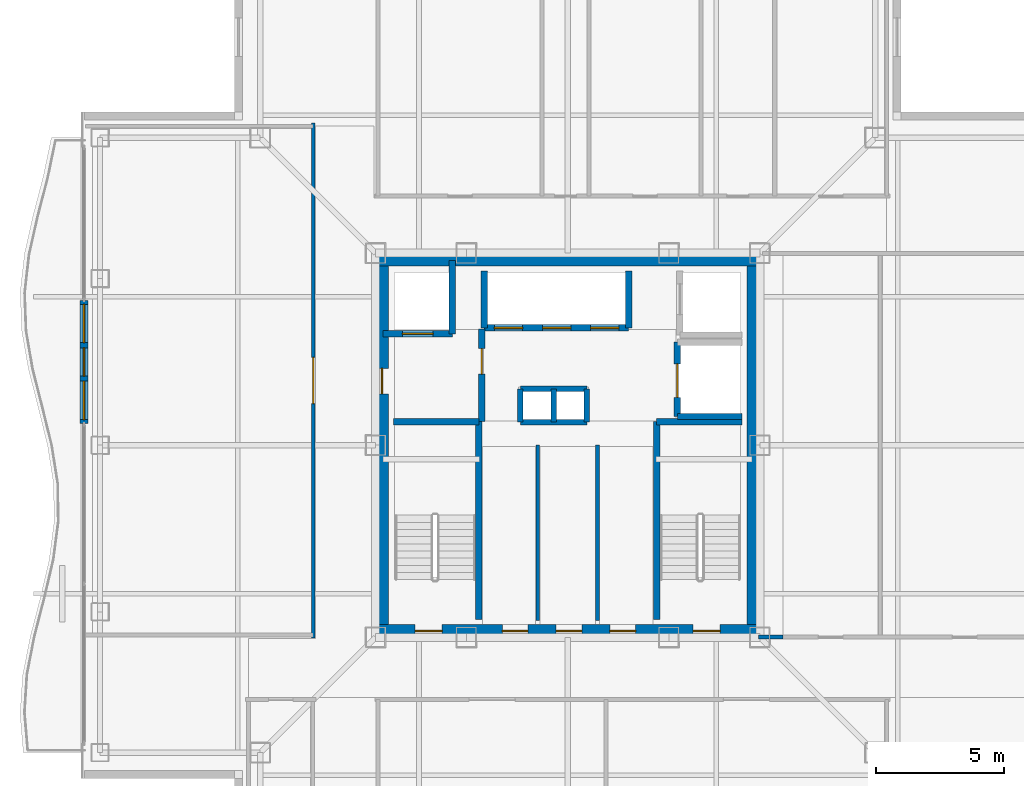
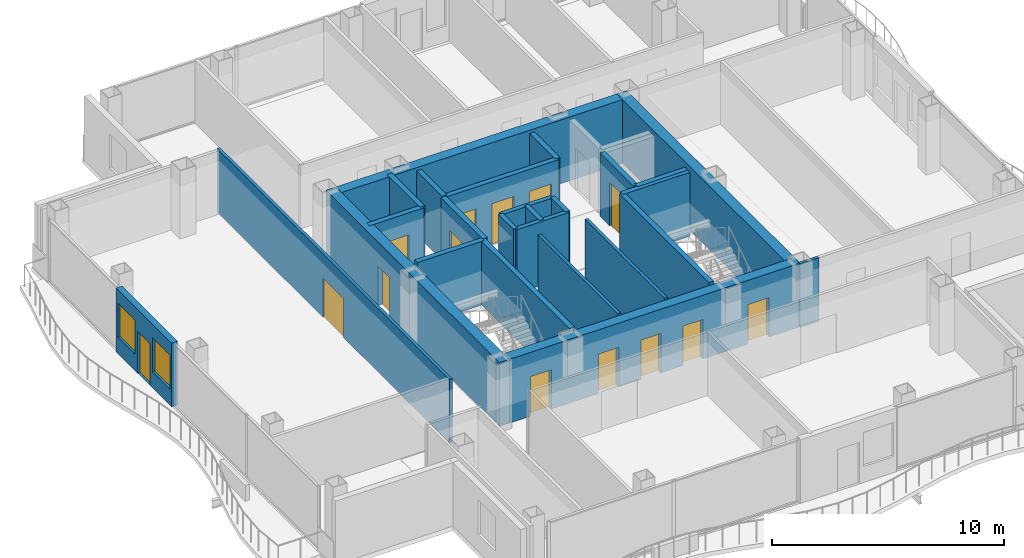
# One storey, part 10 of 17: 26 walls, 14 doors, 2 windows, 16 openings.
"""IFC4 building model written with IfcOpenShell, lengths in metres."""

from ifc_helpers import new_model, si_unit, direction, frame, frame_2d, origin, place, context, subcontext, project, spatial, rectangle, extrude, material, layer, layer_set, type_object, element, fill, save


model = new_model("IFC4")

# Units and contexts
model_context = context("Model", 3, precision=1e-05, world=origin(), true_north=direction((0.0, 1.0)))
body_context = subcontext(model_context, "Body", "Model", "MODEL_VIEW")
ifc_project = project(units=[si_unit("LENGTHUNIT", "METRE"), si_unit("AREAUNIT", "SQUARE_METRE"), si_unit("VOLUMEUNIT", "CUBIC_METRE"), si_unit("PLANEANGLEUNIT", "RADIAN"), si_unit("MASSUNIT", "GRAM", prefix="KILO")], contexts=[model_context])

# Site, building, storey
site_placement = place(None, origin())
site = spatial("IfcSite", under=ifc_project, at=site_placement, CompositionType="ELEMENT")
building_placement = place(site_placement, origin())
building = spatial("IfcBuilding", under=site, at=building_placement, Name="Trevonay Congress Spire", CompositionType="ELEMENT")
storey_placement = place(building_placement, frame((0.0, 0.0, 264.800048828125)))
storey = spatial("IfcBuildingStorey", under=building, at=storey_placement, Name="L69", CompositionType="ELEMENT", Elevation=264.800048828125)

# Wall, openings, doors
ifc_material_1 = material(Name="Concrete C50/60", Category="concrete")
ifc_layer_1 = layer(ifc_material_1, 0.5, Name="Concrete C50/60")
ifc_layer_set_1 = layer_set([ifc_layer_1], Name="Concrete C50/60")
wall_type_1 = type_object("IfcWallType", Name="WAL-CORE-500", PredefinedType="SHEAR", material=ifc_layer_set_1)
wall_1_placement = place(storey_placement, frame((-7.5, -7.25, 0.0), z_axis=(0.0, 0.0, 1.0), x_axis=(1.0, 0.0, 0.0)))
wall_1 = element("IfcWall", 1, at=wall_1_placement, inside=storey, type_object=wall_type_1, Name="L69 South structural core shear wall", PredefinedType="SHEAR", context=body_context, shape_type="SweptSolid", body=[
    extrude(rectangle(XDim=15.0, YDim=0.5, at=frame_2d((7.5, 0.0))), origin(), (0.0, 0.0, 1.0), 3.35986328125),
])
opening_1_placement = place(wall_1_placement, frame((1.550048828125, 0.0, 0.0)))
opening_1 = element("IfcOpeningElement", 2, at=opening_1_placement, cuts=wall_1, Name="Opening D05", PredefinedType="OPENING", context=body_context, shape_type="SweptSolid", body=[
    extrude(rectangle(XDim=1.050048828125, YDim=2.080078125, at=frame_2d((0.52490234375, 1.0400390625))), frame((0.0, 0.260009765625, 0.0), z_axis=(0.0, -1.0, 0.0), x_axis=(1.0, 0.0, 0.0)), (0.0, 0.0, 1.0), 0.52001953125),
])
opening_2_placement = place(wall_1_placement, frame((12.39990234375, 0.0, 0.0)))
opening_2 = element("IfcOpeningElement", 3, at=opening_2_placement, cuts=wall_1, Name="Opening D05", PredefinedType="OPENING", context=body_context, shape_type="SweptSolid", body=[
    extrude(rectangle(XDim=1.050048828125, YDim=2.080078125, at=frame_2d((0.52490234375, 1.0400390625))), frame((0.0, 0.260009765625, 0.0), z_axis=(0.0, -1.0, 0.0), x_axis=(1.0, 0.0, 0.0)), (0.0, 0.0, 1.0), 0.52001953125),
])
opening_3_placement = place(wall_1_placement, frame((4.949951171875, 0.0, 0.0)))
opening_3 = element("IfcOpeningElement", 4, at=opening_3_placement, cuts=wall_1, Name="Opening D06", PredefinedType="OPENING", context=body_context, shape_type="SweptSolid", body=[
    extrude(rectangle(XDim=1.0, YDim=2.080078125, at=frame_2d((0.5, 1.0400390625))), frame((0.0, 0.260009765625, 0.0), z_axis=(0.0, -1.0, 0.0), x_axis=(1.0, 0.0, 0.0)), (0.0, 0.0, 1.0), 0.52001953125),
])
opening_4_placement = place(wall_1_placement, frame((7.050048828125, 0.0, 0.0)))
opening_4 = element("IfcOpeningElement", 5, at=opening_4_placement, cuts=wall_1, Name="Opening D06", PredefinedType="OPENING", context=body_context, shape_type="SweptSolid", body=[
    extrude(rectangle(XDim=1.0, YDim=2.080078125, at=frame_2d((0.5, 1.0400390625))), frame((0.0, 0.260009765625, 0.0), z_axis=(0.0, -1.0, 0.0), x_axis=(1.0, 0.0, 0.0)), (0.0, 0.0, 1.0), 0.52001953125),
])
opening_5_placement = place(wall_1_placement, frame((9.14990234375, 0.0, 0.0)))
opening_5 = element("IfcOpeningElement", 6, at=opening_5_placement, cuts=wall_1, Name="Opening D06", PredefinedType="OPENING", context=body_context, shape_type="SweptSolid", body=[
    extrude(rectangle(XDim=1.0, YDim=2.080078125, at=frame_2d((0.5, 1.0400390625))), frame((0.0, 0.260009765625, 0.0), z_axis=(0.0, -1.0, 0.0), x_axis=(1.0, 0.0, 0.0)), (0.0, 0.0, 1.0), 0.52001953125),
])
ifc_material_2 = material(Name="Steel ASTM A572 Grade 50", Category="steel")
door_type_1 = type_object("IfcDoorType", Name="DOR-FIRE-100", OperationType="NOTDEFINED", PredefinedType="DOOR", material=ifc_material_2)
door_1_placement = place(opening_3_placement, origin())
door_1 = element("IfcDoor", 7, at=door_1_placement, inside=storey, type_object=door_type_1, Name="L69 South Core Room 1 Door", OperationType="SINGLE_SWING_LEFT", OverallHeight=2.080078125, OverallWidth=1.0, PredefinedType="DOOR", context=body_context, shape_type="SweptSolid", body=[
    extrude(rectangle(XDim=1.0, YDim=2.080078125, at=frame_2d((0.5, 1.0400390625))), frame((0.0, 0.02490234375, 0.0), z_axis=(0.0, -1.0, 0.0), x_axis=(1.0, 0.0, 0.0)), (0.0, 0.0, 1.0), 0.050048828125),
])
fill(opening_3, door_1)
door_2_placement = place(opening_4_placement, origin())
door_2 = element("IfcDoor", 8, at=door_2_placement, inside=storey, type_object=door_type_1, Name="L69 South Core Room 2 Door", OperationType="SINGLE_SWING_RIGHT", OverallHeight=2.080078125, OverallWidth=1.0, PredefinedType="DOOR", context=body_context, shape_type="SweptSolid", body=[
    extrude(rectangle(XDim=1.0, YDim=2.080078125, at=frame_2d((0.5, 1.0400390625))), frame((0.0, 0.02490234375, 0.0), z_axis=(0.0, -1.0, 0.0), x_axis=(1.0, 0.0, 0.0)), (0.0, 0.0, 1.0), 0.050048828125),
])
fill(opening_4, door_2)
door_3_placement = place(opening_5_placement, origin())
door_3 = element("IfcDoor", 9, at=door_3_placement, inside=storey, type_object=door_type_1, Name="L69 South Core Room 3 Door", OperationType="SINGLE_SWING_LEFT", OverallHeight=2.080078125, OverallWidth=1.0, PredefinedType="DOOR", context=body_context, shape_type="SweptSolid", body=[
    extrude(rectangle(XDim=1.0, YDim=2.080078125, at=frame_2d((0.5, 1.0400390625))), frame((0.0, 0.02490234375, 0.0), z_axis=(0.0, -1.0, 0.0), x_axis=(1.0, 0.0, 0.0)), (0.0, 0.0, 1.0), 0.050048828125),
])
fill(opening_5, door_3)
door_type_2 = type_object("IfcDoorType", Name="DOR-STAIR-110", OperationType="NOTDEFINED", PredefinedType="DOOR", material=ifc_material_2)
door_4_placement = place(opening_1_placement, origin())
door_4 = element("IfcDoor", 10, at=door_4_placement, inside=storey, type_object=door_type_2, Name="L69 Protected Stair ST-1 Door", OperationType="SINGLE_SWING_RIGHT", OverallHeight=2.080078125, OverallWidth=1.050048828125, PredefinedType="DOOR", context=body_context, shape_type="SweptSolid", body=[
    extrude(rectangle(XDim=1.050048828125, YDim=2.080078125, at=frame_2d((0.52490234375, 1.0400390625))), frame((0.0, 0.02490234375, 0.0), z_axis=(0.0, -1.0, 0.0), x_axis=(1.0, 0.0, 0.0)), (0.0, 0.0, 1.0), 0.050048828125),
])
fill(opening_1, door_4)
door_5_placement = place(opening_2_placement, origin())
door_5 = element("IfcDoor", 11, at=door_5_placement, inside=storey, type_object=door_type_2, Name="L69 Protected Stair ST-2 Door", OperationType="SINGLE_SWING_LEFT", OverallHeight=2.080078125, OverallWidth=1.050048828125, PredefinedType="DOOR", context=body_context, shape_type="SweptSolid", body=[
    extrude(rectangle(XDim=1.050048828125, YDim=2.080078125, at=frame_2d((0.52490234375, 1.0400390625))), frame((0.0, 0.02490234375, 0.0), z_axis=(0.0, -1.0, 0.0), x_axis=(1.0, 0.0, 0.0)), (0.0, 0.0, 1.0), 0.050048828125),
])
fill(opening_2, door_5)

# Wall
wall_2_placement = place(storey_placement, frame((-7.5, 7.25, 0.0), z_axis=(0.0, 0.0, 1.0), x_axis=(1.0, 0.0, 0.0)))
element("IfcWall", 12, at=wall_2_placement, inside=storey, type_object=wall_type_1, Name="L69 North structural core shear wall", PredefinedType="SHEAR", context=body_context, shape_type="SweptSolid", body=[
    extrude(rectangle(XDim=15.0, YDim=0.5, at=frame_2d((7.5, 0.0))), origin(), (0.0, 0.0, 1.0), 3.35986328125),
])

# Wall, opening, door
wall_3_placement = place(storey_placement, frame((-7.25, -7.5, 0.0), z_axis=(0.0, 0.0, 1.0), x_axis=(0.0, 1.0, 0.0)))
wall_3 = element("IfcWall", 13, at=wall_3_placement, inside=storey, type_object=wall_type_1, Name="L69 West structural core shear wall", PredefinedType="SHEAR", context=body_context, shape_type="SweptSolid", body=[
    extrude(rectangle(XDim=15.0, YDim=0.5, at=frame_2d((7.5, 0.0))), origin(), (0.0, 0.0, 1.0), 3.35986328125),
])
opening_6_placement = place(wall_3_placement, frame((9.5, 0.0, 0.0)))
opening_6 = element("IfcOpeningElement", 14, at=opening_6_placement, cuts=wall_3, Name="Opening D06", PredefinedType="OPENING", context=body_context, shape_type="SweptSolid", body=[
    extrude(rectangle(XDim=1.0, YDim=2.080078125, at=frame_2d((0.5, 1.0400390625))), frame((0.0, 0.260009765625, 0.0), z_axis=(0.0, -1.0, 0.0), x_axis=(1.0, 0.0, 0.0)), (0.0, 0.0, 1.0), 0.52001953125),
])
door_6_placement = place(opening_6_placement, origin())
door_6 = element("IfcDoor", 15, at=door_6_placement, inside=storey, type_object=door_type_1, Name="L69 Firefighting Lift Lobby West Corridor Door", OperationType="SINGLE_SWING_RIGHT", OverallHeight=2.080078125, OverallWidth=1.0, PredefinedType="DOOR", context=body_context, shape_type="SweptSolid", body=[
    extrude(rectangle(XDim=1.0, YDim=2.080078125, at=frame_2d((0.5, 1.0400390625))), frame((0.0, 0.02490234375, 0.0), z_axis=(0.0, -1.0, 0.0), x_axis=(1.0, 0.0, 0.0)), (0.0, 0.0, 1.0), 0.050048828125),
])
fill(opening_6, door_6)

# Wall
wall_4_placement = place(storey_placement, frame((7.25, -7.5, 0.0), z_axis=(0.0, 0.0, 1.0), x_axis=(0.0, 1.0, 0.0)))
element("IfcWall", 16, at=wall_4_placement, inside=storey, type_object=wall_type_1, Name="L69 East structural core shear wall", PredefinedType="SHEAR", context=body_context, shape_type="SweptSolid", body=[
    extrude(rectangle(XDim=15.0, YDim=0.5, at=frame_2d((7.5, 0.0))), origin(), (0.0, 0.0, 1.0), 3.35986328125),
])

# Wall, opening, door
ifc_material_3 = material(Name="Concrete C40/50", Category="concrete")
ifc_layer_2 = layer(ifc_material_3, 0.14990234375, Name="Concrete C40/50")
ifc_layer_set_2 = layer_set([ifc_layer_2], Name="Concrete C40/50")
wall_type_2 = type_object("IfcWallType", Name="WAL-CORR-150", PredefinedType="PARTITIONING", material=ifc_layer_set_2)
wall_5_placement = place(storey_placement, frame((-9.929931640625, -7.52001953125, 0.0), z_axis=(0.0, 0.0, 1.0), x_axis=(0.0, 1.0, 0.0)))
wall_5 = element("IfcWall", 17, at=wall_5_placement, inside=storey, type_object=wall_type_2, Name="L69 interior wall WP-L69NW-COR", PredefinedType="PARTITIONING", context=body_context, shape_type="SweptSolid", body=[
    extrude(rectangle(XDim=20.090087890625, YDim=0.14990234375, at=frame_2d((10.044921875, 0.0))), origin(), (0.0, 0.0, 1.0), 3.35986328125),
])
opening_7_placement = place(wall_5_placement, frame((9.14501953125, 0.0, 0.0)))
opening_7 = element("IfcOpeningElement", 18, at=opening_7_placement, cuts=wall_5, Name="Opening D09", PredefinedType="OPENING", context=body_context, shape_type="SweptSolid", body=[
    extrude(rectangle(XDim=1.800048828125, YDim=2.080078125, at=frame_2d((0.89990234375, 1.0400390625))), frame((0.0, 0.0849609375, 0.0), z_axis=(0.0, -1.0, 0.0), x_axis=(1.0, 0.0, 0.0)), (0.0, 0.0, 1.0), 0.169921875),
])
ifc_material_4 = material(Name="Pale Anodised Aluminium EN AW-6063-T6", Category="aluminium")
door_type_3 = type_object("IfcDoorType", Name="DOR-CONF-DBL", OperationType="DOUBLE_DOOR_SINGLE_SWING", PredefinedType="DOOR", material=ifc_material_4)
door_7_placement = place(opening_7_placement, origin())
door_7 = element("IfcDoor", 19, at=door_7_placement, inside=storey, type_object=door_type_3, Name="L69 Oceanographic Cartography Reading Lounge Door", OperationType="DOUBLE_DOOR_SINGLE_SWING", OverallHeight=2.080078125, OverallWidth=1.800048828125, PredefinedType="DOOR", context=body_context, shape_type="SweptSolid", body=[
    extrude(rectangle(XDim=1.800048828125, YDim=2.080078125, at=frame_2d((0.89990234375, 1.0400390625))), frame((0.0, 0.02490234375, 0.0), z_axis=(0.0, -1.0, 0.0), x_axis=(1.0, 0.0, 0.0)), (0.0, 0.0, 1.0), 0.050048828125),
])
fill(opening_7, door_7)

# Wall
wall_6_placement = place(storey_placement, frame((7.449951171875, -7.47998046875, 0.0), z_axis=(0.0, 0.0, 1.0), x_axis=(1.0, 0.0, 0.0)))
element("IfcWall", 20, at=wall_6_placement, inside=storey, type_object=wall_type_2, Name="L69 interior wall WP-L69E-STUB", PredefinedType="PARTITIONING", context=body_context, shape_type="SweptSolid", body=[
    extrude(rectangle(XDim=0.949951171875, YDim=0.14990234375, at=frame_2d((0.47509765625, 0.0))), origin(), (0.0, 0.0, 1.0), 3.35986328125),
])

# Wall, openings, door, windows
ifc_material_5 = material(Name="Precast concrete C40/50", Category="concrete")
ifc_layer_3 = layer(ifc_material_5, 0.300048828125, Name="Precast concrete C40/50")
ifc_layer_set_3 = layer_set([ifc_layer_3], Name="Precast concrete C40/50")
wall_type_3 = type_object("IfcWallType", Name="WAL-EXT-PRECAST-300", PredefinedType="SOLIDWALL", material=ifc_layer_set_3)
wall_7_placement = place(storey_placement, frame((-18.8798828125, 0.85009765625, 0.0), z_axis=(0.0, 0.0, 1.0), x_axis=(0.0, 1.0, 0.0)))
wall_7 = element("IfcWall", 21, at=wall_7_placement, inside=storey, type_object=wall_type_3, Name="L69 W glazed balcony portal exterior wall", PredefinedType="SOLIDWALL", context=body_context, shape_type="SweptSolid", body=[
    extrude(rectangle(XDim=4.7998046875, YDim=0.300048828125, at=frame_2d((2.39990234375, 0.0))), origin(), (0.0, 0.0, 1.0), 3.35986328125),
])
opening_8_placement = place(wall_7_placement, frame((1.85009765625, 0.0, 0.0)))
opening_8 = element("IfcOpeningElement", 22, at=opening_8_placement, cuts=wall_7, Name="Opening D03", PredefinedType="OPENING", context=body_context, shape_type="SweptSolid", body=[
    extrude(rectangle(XDim=1.10009765625, YDim=2.199951171875, at=frame_2d((0.550048828125, 1.10009765625))), frame((0.0, 0.16015625, 0.0), z_axis=(0.0, -1.0, 0.0), x_axis=(1.0, 0.0, 0.0)), (0.0, 0.0, 1.0), 0.320068359375),
])
opening_9_placement = place(wall_7_placement, frame((0.14990234375, 0.0, 0.85009765625)))
opening_9 = element("IfcOpeningElement", 23, at=opening_9_placement, cuts=wall_7, Name="Opening WN03", PredefinedType="OPENING", context=body_context, shape_type="SweptSolid", body=[
    extrude(rectangle(XDim=1.5, YDim=1.800048828125, at=frame_2d((0.75, 0.89990234375))), frame((0.0, 0.16015625, 0.0), z_axis=(0.0, -1.0, 0.0), x_axis=(1.0, 0.0, 0.0)), (0.0, 0.0, 1.0), 0.320068359375),
])
opening_10_placement = place(wall_7_placement, frame((3.14990234375, 0.0, 0.85009765625)))
opening_10 = element("IfcOpeningElement", 24, at=opening_10_placement, cuts=wall_7, Name="Opening WN03", PredefinedType="OPENING", context=body_context, shape_type="SweptSolid", body=[
    extrude(rectangle(XDim=1.5, YDim=1.800048828125, at=frame_2d((0.75, 0.89990234375))), frame((0.0, 0.16015625, 0.0), z_axis=(0.0, -1.0, 0.0), x_axis=(1.0, 0.0, 0.0)), (0.0, 0.0, 1.0), 0.320068359375),
])
door_type_4 = type_object("IfcDoorType", Name="DOR-EXT-BAL-110", OperationType="NOTDEFINED", PredefinedType="DOOR", material=ifc_material_4)
door_8_placement = place(opening_8_placement, origin())
door_8 = element("IfcDoor", 25, at=door_8_placement, inside=storey, type_object=door_type_4, Name="L69 W glazed outdoor terrace and balcony door", OperationType="SINGLE_SWING_LEFT", OverallHeight=2.199951171875, OverallWidth=1.10009765625, PredefinedType="DOOR", context=body_context, shape_type="SweptSolid", body=[
    extrude(rectangle(XDim=1.10009765625, YDim=2.199951171875, at=frame_2d((0.550048828125, 1.10009765625))), frame((0.0, 0.02490234375, 0.0), z_axis=(0.0, -1.0, 0.0), x_axis=(1.0, 0.0, 0.0)), (0.0, 0.0, 1.0), 0.050048828125),
])
fill(opening_8, door_8)
ifc_material_6 = material(Name="Insulated Low-E Vision Glass IGU", Category="glass")
window_type = type_object("IfcWindowType", Name="WIN-NOTCH-150X180", PartitioningType="SINGLE_PANEL", PredefinedType="WINDOW", material=ifc_material_6)
window_1_placement = place(opening_9_placement, origin())
window_1 = element("IfcWindow", 26, at=window_1_placement, inside=storey, type_object=window_type, Name="L69 W balcony sidelight window L", OverallHeight=1.800048828125, OverallWidth=1.5, PartitioningType="SINGLE_PANEL", PredefinedType="WINDOW", context=body_context, shape_type="SweptSolid", body=[
    extrude(rectangle(XDim=1.5, YDim=1.800048828125, at=frame_2d((0.75, 0.89990234375))), frame((0.0, 0.030029296875, 0.0), z_axis=(0.0, -1.0, 0.0), x_axis=(1.0, 0.0, 0.0)), (0.0, 0.0, 1.0), 0.06005859375),
])
fill(opening_9, window_1)
window_2_placement = place(opening_10_placement, origin())
window_2 = element("IfcWindow", 27, at=window_2_placement, inside=storey, type_object=window_type, Name="L69 W balcony sidelight window R", OverallHeight=1.800048828125, OverallWidth=1.5, PartitioningType="SINGLE_PANEL", PredefinedType="WINDOW", context=body_context, shape_type="SweptSolid", body=[
    extrude(rectangle(XDim=1.5, YDim=1.800048828125, at=frame_2d((0.75, 0.89990234375))), frame((0.0, 0.030029296875, 0.0), z_axis=(0.0, -1.0, 0.0), x_axis=(1.0, 0.0, 0.0)), (0.0, 0.0, 1.0), 0.06005859375),
])
fill(opening_10, window_2)

# Walls
ifc_layer_4 = layer(ifc_material_3, 0.14990234375, Name="Concrete C40/50")
ifc_layer_set_4 = layer_set([ifc_layer_4], Name="Concrete C40/50")
wall_type_4 = type_object("IfcWallType", Name="WAL-PART-150", PredefinedType="PARTITIONING", material=ifc_layer_set_4)
for number, where, z_axis, x_axis, name in (
    (28, (-1.169921875, -6.85009765625, 0.0), (0.0, 0.0, 1.0), (0.0, 1.0, 0.0), "L69 interior wall CW-F2A-L69"),
    (29, (1.169921875, -6.85009765625, 0.0), (0.0, 0.0, 1.0), (0.0, 1.0, 0.0), "L69 interior wall CW-F2B-L69"),
):
    element("IfcWall", number, at=place(storey_placement, frame(where, z_axis=z_axis, x_axis=x_axis)), inside=storey, type_object=wall_type_4, Name=name, PredefinedType="PARTITIONING", context=body_context, shape_type="SweptSolid", body=[
        extrude(rectangle(XDim=6.85009765625, YDim=0.14990234375, at=frame_2d((3.425048828125, 0.0))), origin(), (0.0, 0.0, 1.0), 3.35986328125),
    ])
ifc_layer_5 = layer(ifc_material_3, 0.219970703125, Name="Concrete C40/50")
ifc_layer_set_5 = layer_set([ifc_layer_5], Name="Concrete C40/50")
wall_type_5 = type_object("IfcWallType", Name="WAL-SHAFT-220", PredefinedType="PARTITIONING", material=ifc_layer_set_5)
for number, where, z_axis, x_axis, name in (
    (30, (-1.85009765625, 2.199951171875, 0.0), (0.0, 0.0, 1.0), (1.0, 0.0, 0.0), "L69 interior shaft wall WSH-L69-RSR-N"),
    (31, (-1.85009765625, 0.89990234375, 0.0), (0.0, 0.0, 1.0), (1.0, 0.0, 0.0), "L69 interior shaft wall WSH-L69-RSR-S"),
):
    element("IfcWall", number, at=place(storey_placement, frame(where, z_axis=z_axis, x_axis=x_axis)), inside=storey, type_object=wall_type_5, Name=name, PredefinedType="PARTITIONING", context=body_context, shape_type="SweptSolid", body=[
        extrude(rectangle(XDim=2.60009765625, YDim=0.219970703125, at=frame_2d((1.300048828125, 0.0))), origin(), (0.0, 0.0, 1.0), 3.35986328125),
    ])
for number, where, z_axis, x_axis, name in (
    (32, (-0.550048828125, 0.89990234375, 0.0), (0.0, 0.0, 1.0), (0.0, 1.0, 0.0), "L69 interior shaft wall WSH-L69-RSR-M"),
    (33, (0.75, 0.89990234375, 0.0), (0.0, 0.0, 1.0), (0.0, 1.0, 0.0), "L69 interior shaft wall WSH-L69-RSR-E"),
    (34, (-1.85009765625, 0.89990234375, 0.0), (0.0, 0.0, 1.0), (0.0, 1.0, 0.0), "L69 interior shaft wall WSH-L69-RSR-W"),
):
    element("IfcWall", number, at=place(storey_placement, frame(where, z_axis=z_axis, x_axis=x_axis)), inside=storey, type_object=wall_type_5, Name=name, PredefinedType="PARTITIONING", context=body_context, shape_type="SweptSolid", body=[
        extrude(rectangle(XDim=1.300048828125, YDim=0.219970703125, at=frame_2d((0.64990234375, 0.0))), origin(), (0.0, 0.0, 1.0), 3.35986328125),
    ])

# Wall, openings, doors
ifc_layer_6 = layer(ifc_material_3, 0.25, Name="Concrete C40/50")
ifc_layer_set_6 = layer_set([ifc_layer_6], Name="Concrete C40/50")
wall_type_6 = type_object("IfcWallType", Name="WAL-SHAFT-250", PredefinedType="SHEAR", material=ifc_layer_set_6)
wall_8_placement = place(storey_placement, frame((-3.260009765625, 4.580078125, 0.0), z_axis=(0.0, 0.0, 1.0), x_axis=(1.0, 0.0, 0.0)))
wall_8 = element("IfcWall", 35, at=wall_8_placement, inside=storey, type_object=wall_type_6, Name="L69 interior shaft wall WSH-L69-B3-S", PredefinedType="SHEAR", context=body_context, shape_type="SweptSolid", body=[
    extrude(rectangle(XDim=5.639892578125, YDim=0.25, at=frame_2d((2.81982421875, 0.0))), origin(), (0.0, 0.0, 1.0), 3.35986328125),
])
opening_11_placement = place(wall_8_placement, frame((0.39990234375, 0.0, 0.0)))
opening_11 = element("IfcOpeningElement", 36, at=opening_11_placement, cuts=wall_8, Name="Opening LD03", PredefinedType="OPENING", context=body_context, shape_type="SweptSolid", body=[
    extrude(rectangle(XDim=1.10009765625, YDim=2.199951171875, at=frame_2d((0.550048828125, 1.10009765625))), frame((0.0, 0.135009765625, 0.0), z_axis=(0.0, -1.0, 0.0), x_axis=(1.0, 0.0, 0.0)), (0.0, 0.0, 1.0), 0.27001953125),
])
opening_12_placement = place(wall_8_placement, frame((2.280029296875, 0.0, 0.0)))
opening_12 = element("IfcOpeningElement", 37, at=opening_12_placement, cuts=wall_8, Name="Opening LD03", PredefinedType="OPENING", context=body_context, shape_type="SweptSolid", body=[
    extrude(rectangle(XDim=1.10009765625, YDim=2.199951171875, at=frame_2d((0.550048828125, 1.10009765625))), frame((0.0, 0.135009765625, 0.0), z_axis=(0.0, -1.0, 0.0), x_axis=(1.0, 0.0, 0.0)), (0.0, 0.0, 1.0), 0.27001953125),
])
opening_13_placement = place(wall_8_placement, frame((4.159912109375, 0.0, 0.0)))
opening_13 = element("IfcOpeningElement", 38, at=opening_13_placement, cuts=wall_8, Name="Opening LD03", PredefinedType="OPENING", context=body_context, shape_type="SweptSolid", body=[
    extrude(rectangle(XDim=1.10009765625, YDim=2.199951171875, at=frame_2d((0.550048828125, 1.10009765625))), frame((0.0, 0.135009765625, 0.0), z_axis=(0.0, -1.0, 0.0), x_axis=(1.0, 0.0, 0.0)), (0.0, 0.0, 1.0), 0.27001953125),
])
door_type_5 = type_object("IfcDoorType", Name="DOR-LIFT-LD03", OperationType="DOUBLE_DOOR_SLIDING", PredefinedType="DOOR", material=ifc_material_4)
door_9_placement = place(opening_11_placement, origin())
door_9 = element("IfcDoor", 39, at=door_9_placement, inside=storey, type_object=door_type_5, Name="L69 Passenger lift PL-07 landing door", OperationType="DOUBLE_DOOR_SLIDING", OverallHeight=2.199951171875, OverallWidth=1.10009765625, PredefinedType="DOOR", context=body_context, shape_type="SweptSolid", body=[
    extrude(rectangle(XDim=1.10009765625, YDim=2.199951171875, at=frame_2d((0.550048828125, 1.10009765625))), frame((0.0, 0.02490234375, 0.0), z_axis=(0.0, -1.0, 0.0), x_axis=(1.0, 0.0, 0.0)), (0.0, 0.0, 1.0), 0.050048828125),
])
fill(opening_11, door_9)
door_10_placement = place(opening_12_placement, origin())
door_10 = element("IfcDoor", 40, at=door_10_placement, inside=storey, type_object=door_type_5, Name="L69 Passenger lift PL-08 landing door", OperationType="DOUBLE_DOOR_SLIDING", OverallHeight=2.199951171875, OverallWidth=1.10009765625, PredefinedType="DOOR", context=body_context, shape_type="SweptSolid", body=[
    extrude(rectangle(XDim=1.10009765625, YDim=2.199951171875, at=frame_2d((0.550048828125, 1.10009765625))), frame((0.0, 0.02490234375, 0.0), z_axis=(0.0, -1.0, 0.0), x_axis=(1.0, 0.0, 0.0)), (0.0, 0.0, 1.0), 0.050048828125),
])
fill(opening_12, door_10)
door_11_placement = place(opening_13_placement, origin())
door_11 = element("IfcDoor", 41, at=door_11_placement, inside=storey, type_object=door_type_5, Name="L69 Passenger lift PL-09 landing door", OperationType="DOUBLE_DOOR_SLIDING", OverallHeight=2.199951171875, OverallWidth=1.10009765625, PredefinedType="DOOR", context=body_context, shape_type="SweptSolid", body=[
    extrude(rectangle(XDim=1.10009765625, YDim=2.199951171875, at=frame_2d((0.550048828125, 1.10009765625))), frame((0.0, 0.02490234375, 0.0), z_axis=(0.0, -1.0, 0.0), x_axis=(1.0, 0.0, 0.0)), (0.0, 0.0, 1.0), 0.050048828125),
])
fill(opening_13, door_11)

# Walls
for number, where, z_axis, x_axis, name in (
    (42, (-3.260009765625, 4.580078125, 0.0), (0.0, 0.0, 1.0), (0.0, 1.0, 0.0), "L69 interior shaft wall WSH-L69-B3-W"),
    (43, (2.3798828125, 4.580078125, 0.0), (0.0, 0.0, 1.0), (0.0, 1.0, 0.0), "L69 interior shaft wall WSH-L69-B3-E"),
):
    element("IfcWall", number, at=place(storey_placement, frame(where, z_axis=z_axis, x_axis=x_axis)), inside=storey, type_object=wall_type_6, Name=name, PredefinedType="SHEAR", context=body_context, shape_type="SweptSolid", body=[
        extrude(rectangle(XDim=2.219970703125, YDim=0.25, at=frame_2d((1.10986328125, 0.0))), origin(), (0.0, 0.0, 1.0), 3.35986328125),
    ])

# Wall, opening, door
wall_9_placement = place(storey_placement, frame((-7.199951171875, 4.35009765625, 0.0), z_axis=(0.0, 0.0, 1.0), x_axis=(1.0, 0.0, 0.0)))
wall_9 = element("IfcWall", 44, at=wall_9_placement, inside=storey, type_object=wall_type_6, Name="L69 interior shaft wall WSH-L69-FF1-S", PredefinedType="SHEAR", context=body_context, shape_type="SweptSolid", body=[
    extrude(rectangle(XDim=2.699951171875, YDim=0.25, at=frame_2d((1.35009765625, 0.0))), origin(), (0.0, 0.0, 1.0), 3.35986328125),
])
opening_14_placement = place(wall_9_placement, frame((0.75, 0.0, 0.0)))
opening_14 = element("IfcOpeningElement", 45, at=opening_14_placement, cuts=wall_9, Name="Opening LD04", PredefinedType="OPENING", context=body_context, shape_type="SweptSolid", body=[
    extrude(rectangle(XDim=1.199951171875, YDim=2.199951171875, at=frame_2d((0.60009765625, 1.10009765625))), frame((0.0, 0.135009765625, 0.0), z_axis=(0.0, -1.0, 0.0), x_axis=(1.0, 0.0, 0.0)), (0.0, 0.0, 1.0), 0.27001953125),
])
door_type_6 = type_object("IfcDoorType", Name="DOR-LIFT-LD04", OperationType="DOUBLE_DOOR_SLIDING", PredefinedType="DOOR", material=ifc_material_2)
door_12_placement = place(opening_14_placement, origin())
door_12 = element("IfcDoor", 46, at=door_12_placement, inside=storey, type_object=door_type_6, Name="L69 Firefighting lift FFL-01 landing door", OperationType="DOUBLE_DOOR_SLIDING", OverallHeight=2.199951171875, OverallWidth=1.199951171875, PredefinedType="DOOR", context=body_context, shape_type="SweptSolid", body=[
    extrude(rectangle(XDim=1.199951171875, YDim=2.199951171875, at=frame_2d((0.60009765625, 1.10009765625))), frame((0.0, 0.02490234375, 0.0), z_axis=(0.0, -1.0, 0.0), x_axis=(1.0, 0.0, 0.0)), (0.0, 0.0, 1.0), 0.050048828125),
])
fill(opening_14, door_12)

# Wall
wall_10_placement = place(storey_placement, frame((-4.5, 4.35009765625, 0.0), z_axis=(0.0, 0.0, 1.0), x_axis=(0.0, 1.0, 0.0)))
element("IfcWall", 47, at=wall_10_placement, inside=storey, type_object=wall_type_6, Name="L69 interior shaft wall WSH-L69-FF1-E", PredefinedType="SHEAR", context=body_context, shape_type="SweptSolid", body=[
    extrude(rectangle(XDim=2.849853515625, YDim=0.25, at=frame_2d((1.4248046875, 0.0))), origin(), (0.0, 0.0, 1.0), 3.35986328125),
])

# Wall, opening, door
wall_11_placement = place(storey_placement, frame((4.280029296875, 1.1201171875, 0.0), z_axis=(0.0, 0.0, 1.0), x_axis=(0.0, 1.0, 0.0)))
wall_11 = element("IfcWall", 48, at=wall_11_placement, inside=storey, type_object=wall_type_6, Name="L69 interior shaft wall WSH-L69-SV-W", PredefinedType="SHEAR", context=body_context, shape_type="SweptSolid", body=[
    extrude(rectangle(XDim=2.89990234375, YDim=0.25, at=frame_2d((1.449951171875, 0.0))), origin(), (0.0, 0.0, 1.0), 3.35986328125),
])
opening_15_placement = place(wall_11_placement, frame((0.75, 0.0, 0.0)))
opening_15 = element("IfcOpeningElement", 49, at=opening_15_placement, cuts=wall_11, Name="Opening LD05", PredefinedType="OPENING", context=body_context, shape_type="SweptSolid", body=[
    extrude(rectangle(XDim=1.300048828125, YDim=2.300048828125, at=frame_2d((0.64990234375, 1.14990234375))), frame((0.0, 0.135009765625, 0.0), z_axis=(0.0, -1.0, 0.0), x_axis=(1.0, 0.0, 0.0)), (0.0, 0.0, 1.0), 0.27001953125),
])
door_type_7 = type_object("IfcDoorType", Name="DOR-LIFT-LD05", OperationType="DOUBLE_DOOR_SLIDING", PredefinedType="DOOR", material=ifc_material_2)
door_13_placement = place(opening_15_placement, origin())
door_13 = element("IfcDoor", 50, at=door_13_placement, inside=storey, type_object=door_type_7, Name="L69 Goods lift SVL-01 landing door", OperationType="DOUBLE_DOOR_SLIDING", OverallHeight=2.300048828125, OverallWidth=1.300048828125, PredefinedType="DOOR", context=body_context, shape_type="SweptSolid", body=[
    extrude(rectangle(XDim=1.300048828125, YDim=2.300048828125, at=frame_2d((0.64990234375, 1.14990234375))), frame((0.0, 0.02490234375, 0.0), z_axis=(0.0, -1.0, 0.0), x_axis=(1.0, 0.0, 0.0)), (0.0, 0.0, 1.0), 0.050048828125),
])
fill(opening_15, door_13)

# Wall
wall_12_placement = place(storey_placement, frame((4.280029296875, 1.1201171875, 0.0), z_axis=(0.0, 0.0, 1.0), x_axis=(1.0, 0.0, 0.0)))
element("IfcWall", 51, at=wall_12_placement, inside=storey, type_object=wall_type_6, Name="L69 interior shaft wall WSH-L69-SV-S", PredefinedType="SHEAR", context=body_context, shape_type="SweptSolid", body=[
    extrude(rectangle(XDim=2.52001953125, YDim=0.25, at=frame_2d((1.260009765625, 0.0))), origin(), (0.0, 0.0, 1.0), 3.35986328125),
])

# Wall, opening, door
wall_13_placement = place(storey_placement, frame((-3.35009765625, 0.919921875, 0.0), z_axis=(0.0, 0.0, 1.0), x_axis=(0.0, 1.0, 0.0)))
wall_13 = element("IfcWall", 52, at=wall_13_placement, inside=storey, type_object=wall_type_6, Name="L69 interior wall CW-FFLW-E-L69", PredefinedType="SHEAR", context=body_context, shape_type="SweptSolid", body=[
    extrude(rectangle(XDim=3.6201171875, YDim=0.25, at=frame_2d((1.81005859375, 0.0))), origin(), (0.0, 0.0, 1.0), 3.35986328125),
])
opening_16_placement = place(wall_13_placement, frame((1.85009765625, 0.0, 0.0)))
opening_16 = element("IfcOpeningElement", 53, at=opening_16_placement, cuts=wall_13, Name="Opening D06", PredefinedType="OPENING", context=body_context, shape_type="SweptSolid", body=[
    extrude(rectangle(XDim=1.0, YDim=2.080078125, at=frame_2d((0.5, 1.0400390625))), frame((0.0, 0.135009765625, 0.0), z_axis=(0.0, -1.0, 0.0), x_axis=(1.0, 0.0, 0.0)), (0.0, 0.0, 1.0), 0.27001953125),
])
door_14_placement = place(opening_16_placement, origin())
door_14 = element("IfcDoor", 54, at=door_14_placement, inside=storey, type_object=door_type_1, Name="L69 Firefighting Core Lobby Transfer Door", OperationType="SINGLE_SWING_RIGHT", OverallHeight=2.080078125, OverallWidth=1.0, PredefinedType="DOOR", context=body_context, shape_type="SweptSolid", body=[
    extrude(rectangle(XDim=1.0, YDim=2.080078125, at=frame_2d((0.5, 1.0400390625))), frame((0.0, 0.02490234375, 0.0), z_axis=(0.0, -1.0, 0.0), x_axis=(1.0, 0.0, 0.0)), (0.0, 0.0, 1.0), 0.050048828125),
])
fill(opening_16, door_14)

# Walls
ifc_layer_7 = layer(ifc_material_3, 0.25, Name="Concrete C40/50")
ifc_layer_set_7 = layer_set([ifc_layer_7], Name="Concrete C40/50")
wall_type_7 = type_object("IfcWallType", Name="WAL-SHAFT-LB-250", PredefinedType="SHEAR", material=ifc_layer_set_7)
wall_14_placement = place(storey_placement, frame((-3.469970703125, -6.800048828125, 0.0), z_axis=(0.0, 0.0, 1.0), x_axis=(0.0, 1.0, 0.0)))
element("IfcWall", 55, at=wall_14_placement, inside=storey, type_object=wall_type_7, Name="L69 interior shaft wall WSH-L69-ST1-E", PredefinedType="SHEAR", context=body_context, shape_type="SweptSolid", body=[
    extrude(rectangle(XDim=7.719970703125, YDim=0.25, at=frame_2d((3.85986328125, 0.0))), origin(), (0.0, 0.0, 1.0), 3.35986328125),
])
wall_15_placement = place(storey_placement, frame((-6.800048828125, 0.919921875, 0.0), z_axis=(0.0, 0.0, 1.0), x_axis=(1.0, 0.0, 0.0)))
element("IfcWall", 56, at=wall_15_placement, inside=storey, type_object=wall_type_7, Name="L69 interior shaft wall WSH-L69-ST1-N", PredefinedType="SHEAR", context=body_context, shape_type="SweptSolid", body=[
    extrude(rectangle(XDim=3.330078125, YDim=0.25, at=frame_2d((1.6650390625, 0.0))), origin(), (0.0, 0.0, 1.0), 3.35986328125),
])
wall_16_placement = place(storey_placement, frame((3.469970703125, -6.800048828125, 0.0), z_axis=(0.0, 0.0, 1.0), x_axis=(0.0, 1.0, 0.0)))
element("IfcWall", 57, at=wall_16_placement, inside=storey, type_object=wall_type_7, Name="L69 interior shaft wall WSH-L69-ST2-W", PredefinedType="SHEAR", context=body_context, shape_type="SweptSolid", body=[
    extrude(rectangle(XDim=7.719970703125, YDim=0.25, at=frame_2d((3.85986328125, 0.0))), origin(), (0.0, 0.0, 1.0), 3.35986328125),
])
wall_17_placement = place(storey_placement, frame((3.469970703125, 0.919921875, 0.0), z_axis=(0.0, 0.0, 1.0), x_axis=(1.0, 0.0, 0.0)))
element("IfcWall", 58, at=wall_17_placement, inside=storey, type_object=wall_type_7, Name="L69 interior shaft wall WSH-L69-ST2-N", PredefinedType="SHEAR", context=body_context, shape_type="SweptSolid", body=[
    extrude(rectangle(XDim=3.330078125, YDim=0.25, at=frame_2d((1.6650390625, 0.0))), origin(), (0.0, 0.0, 1.0), 3.35986328125),
])

save(model, "model.ifc")
